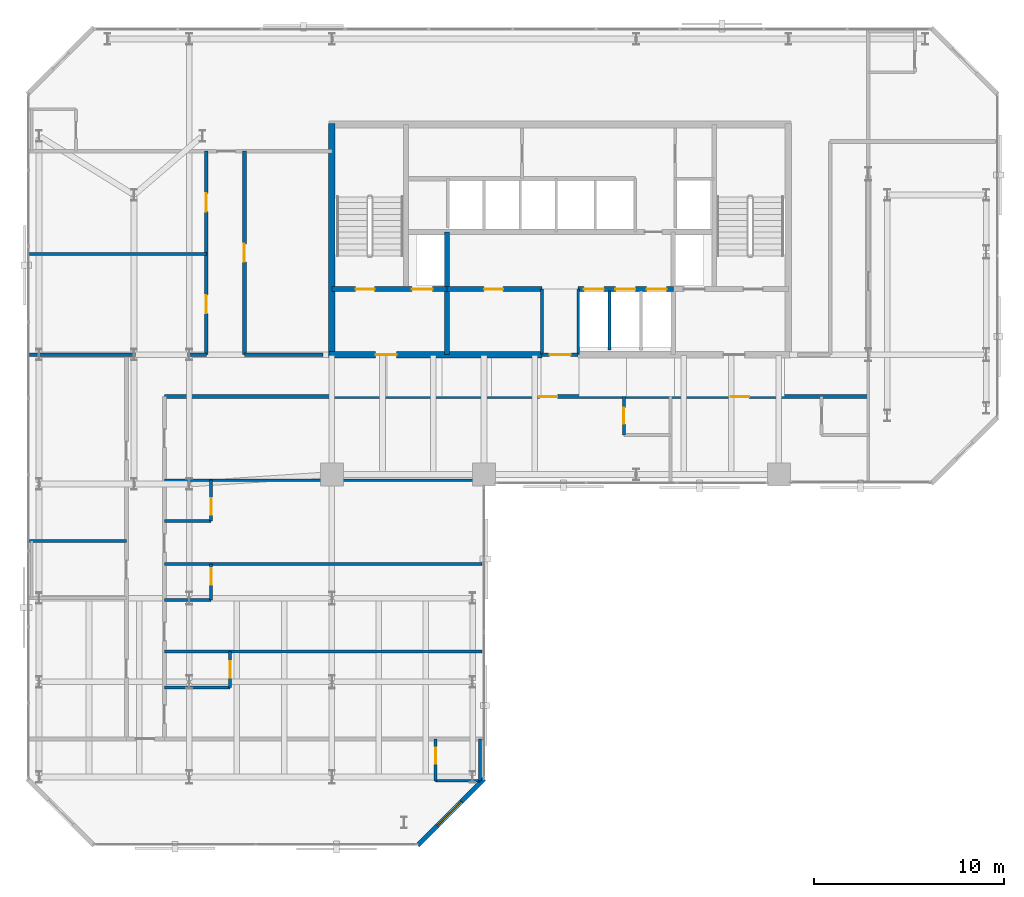
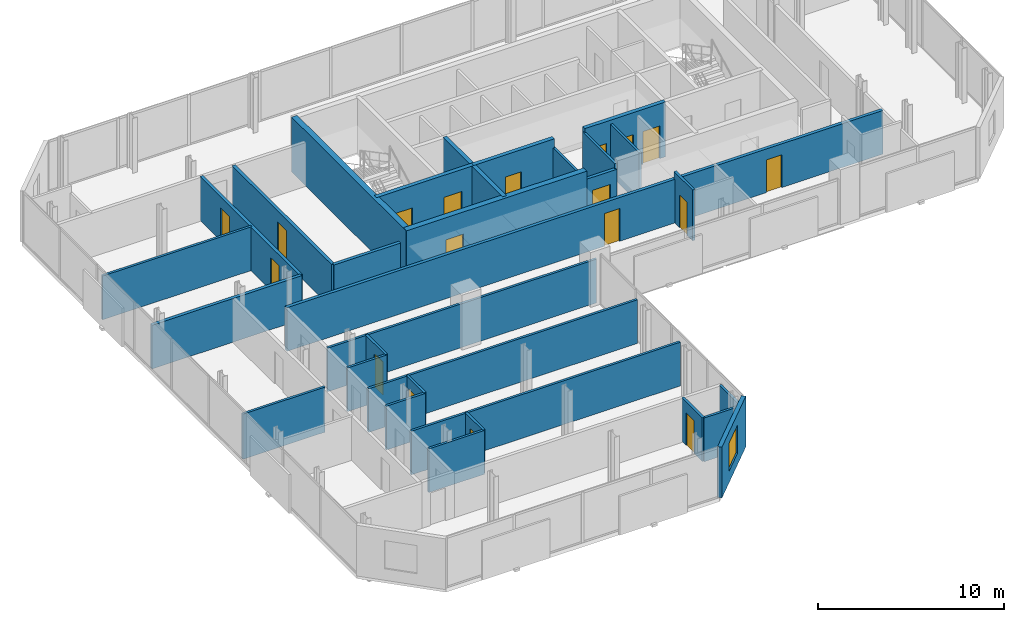
# One storey, part 28 of 32: 31 walls, 18 doors, 1 window, 19 openings.
"""IFC4 building model written with IfcOpenShell, lengths in metres."""

import ifcopenshell
import ifcopenshell.guid

model = None  # the IFC model being written
_history = None  # IfcOwnerHistory: only IFC2X3 demands one
_inside = {}  # id of a spatial element -> (the spatial element, [elements in it])
_under = {}  # id of a project, library or spatial element -> (it, [spatial elements below it])
_declared = {}  # id of a project -> (the project, [libraries it declares])
_typed = {}  # id of a type object -> (the type object, [elements of that type])
_made_of = {}  # id of a material, layer set ... -> (it, [elements and type objects made of it])


def new_model(schema):
    """Start an empty IFC model of exactly this schema.

    Asked for "IFC4X3", IfcOpenShell would pick the latest addendum, in which some entities
    have other attributes; the version numbers below select the first issue.
    IFC2X3 requires an IfcOwnerHistory on every rooted entity: one is made here for all.
    """
    global model, _history
    if schema == "IFC4X3":
        model = ifcopenshell.file(schema_version=(4, 3, 0, 0))
    else:
        model = ifcopenshell.file(schema=schema)
    _inside.clear()
    _under.clear()
    _declared.clear()
    _typed.clear()
    _made_of.clear()
    _history = None
    if model.schema == "IFC2X3":
        org = make("IfcOrganization", Name="unknown")
        user = make(
            "IfcPersonAndOrganization",
            ThePerson=make("IfcPerson", FamilyName="unknown"),
            TheOrganization=org,
        )
        app = make(
            "IfcApplication",
            ApplicationDeveloper=org,
            Version="unknown",
            ApplicationFullName="unknown",
            ApplicationIdentifier="unknown",
        )
        _history = make(
            "IfcOwnerHistory",
            OwningUser=user,
            OwningApplication=app,
            ChangeAction="ADDED",
            CreationDate=0,
        )
    return model


def make(cls, **values):
    """One entity of the class cls with the attributes given. An attribute that is None is left unset."""
    return model.create_entity(
        cls, **{name: value for name, value in values.items() if value is not None}
    )


def rooted(cls, **values):
    """An entity with a GlobalId (a new one), such as an element, a storey or a relation."""
    return make(cls, GlobalId=ifcopenshell.guid.new(), OwnerHistory=_history, **values)


def si_unit(unit_type, name, prefix=None):
    """IfcSIUnit, for example si_unit("LENGTHUNIT", "METRE", prefix="MILLI")."""
    return make("IfcSIUnit", UnitType=unit_type, Prefix=prefix, Name=name)


def assignment(units):
    """IfcUnitAssignment: the units of a project."""
    return None if units is None else make("IfcUnitAssignment", Units=units)


def point(xyz):
    """IfcCartesianPoint."""
    return None if xyz is None else make("IfcCartesianPoint", Coordinates=xyz)


def direction(xyz):
    """IfcDirection."""
    return None if xyz is None else make("IfcDirection", DirectionRatios=xyz)


def frame(location, z_axis=None, x_axis=None):
    """IfcAxis2Placement3D, a coordinate frame: its origin and axes. An axis left out is left unset."""
    return make(
        "IfcAxis2Placement3D",
        Location=point(location),
        Axis=direction(z_axis),
        RefDirection=direction(x_axis),
    )


def frame_2d(location, x_axis=None):
    """IfcAxis2Placement2D, a coordinate frame in the plane: its origin and x axis."""
    return make(
        "IfcAxis2Placement2D", Location=point(location), RefDirection=direction(x_axis)
    )


def origin():
    """The frame at (0, 0, 0) with its axes left unset."""
    return frame((0.0, 0.0, 0.0))


def place(relative_to, where):
    """IfcLocalPlacement: puts the frame where relative to a parent placement (None: the world)."""
    return make(
        "IfcLocalPlacement", PlacementRelTo=relative_to, RelativePlacement=where
    )


def context(
    kind, dimensions, precision=None, world=None, true_north=None, identifier=None
):
    """IfcGeometricRepresentationContext, for example the 3D "Model" context."""
    return make(
        "IfcGeometricRepresentationContext",
        ContextIdentifier=identifier,
        ContextType=kind,
        CoordinateSpaceDimension=dimensions,
        Precision=precision,
        WorldCoordinateSystem=world,
        TrueNorth=true_north,
    )


def subcontext(parent, identifier, kind, view, scale=None):
    """IfcGeometricRepresentationSubContext, for example "Body" below "Model"."""
    return make(
        "IfcGeometricRepresentationSubContext",
        ContextIdentifier=identifier,
        ContextType=kind,
        ParentContext=parent,
        TargetScale=scale,
        TargetView=view,
    )


def project(units=None, contexts=None):
    """IfcProject with its units and contexts."""
    return rooted(
        "IfcProject",
        Name="project",
        RepresentationContexts=contexts,
        UnitsInContext=assignment(units),
    )


def spatial(cls, under=None, at=None, **own):
    """A site, building, storey or space (cls), placed at a placement, below another one or the project."""
    s = rooted(cls, ObjectPlacement=at, **own)
    if under is not None:
        _under.setdefault(under.id(), (under, []))[1].append(s)
    return s


def profile(cls, at=None, kind="AREA", **sizes):
    """A parametric profile (cls). Its sizes go by their IFC names, for example OverallWidth=200.0."""
    return make(cls, ProfileType=kind, Position=at, **sizes)


def rectangle(**sizes):
    """IfcRectangleProfileDef."""
    return profile("IfcRectangleProfileDef", **sizes)


def extrude(swept, where, along, depth):
    """IfcExtrudedAreaSolid: the profile swept, set in the frame where, extruded along a direction by depth."""
    return make(
        "IfcExtrudedAreaSolid",
        SweptArea=swept,
        Position=where,
        ExtrudedDirection=direction(along),
        Depth=depth,
    )


def shape(context_of_items, identifier, shape_type, items):
    """IfcShapeRepresentation: the items that make up one representation, for example the "Body"."""
    return make(
        "IfcShapeRepresentation",
        ContextOfItems=context_of_items,
        RepresentationIdentifier=identifier,
        RepresentationType=shape_type,
        Items=items,
    )


def material(Name=None, Category=None):
    """IfcMaterial."""
    return make("IfcMaterial", Name=Name, Category=Category)


def layer(
    of_material, thickness, ventilated=None, Name=None, Category=None, Priority=None
):
    """IfcMaterialLayer: one layer of a wall or slab, of a material (None: an air gap)."""
    return make(
        "IfcMaterialLayer",
        Material=of_material,
        LayerThickness=thickness,
        IsVentilated=ventilated,
        Name=Name,
        Category=Category,
        Priority=Priority,
    )


def layer_set(layers, Name=None):
    """IfcMaterialLayerSet."""
    return make("IfcMaterialLayerSet", MaterialLayers=layers, LayerSetName=Name)


def made_of(thing, what):
    """Note that an element or type object is made of a material, layer set ...; save() writes the relation."""
    if what is not None:
        _made_of.setdefault(what.id(), (what, []))[1].append(thing)
    return thing


def type_object(cls, material=None, **own):
    """A type object (cls), such as IfcWallType, which elements share."""
    return made_of(rooted(cls, **own), material)


def element(
    cls,
    number,
    at=None,
    inside=None,
    cuts=None,
    type_object=None,
    material=None,
    context=None,
    identifier="Body",
    shape_type=None,
    held_by="IfcProductDefinitionShape",
    body=None,
    shapes=None,
    **own,
):
    """One element of the class cls, such as IfcWall. Its Tag is "e" and its number.

    at: its placement. inside: the storey or other place that contains it. cuts: it is an
    opening in that element (IfcRelVoidsElement). A single representation is given by context,
    identifier, shape_type and body (its items); several are given by shapes. held_by: the class
    of the entity that holds the representations. save() writes the other relations.
    """
    e = rooted(cls, Tag="e%d" % number, ObjectPlacement=at, **own)
    if body is not None:
        shapes = [shape(context, identifier, shape_type, body)]
    if shapes is not None:
        e.Representation = make(held_by, Representations=shapes)
    if inside is not None:
        _inside.setdefault(inside.id(), (inside, []))[1].append(e)
    if cuts is not None:
        rooted(
            "IfcRelVoidsElement", RelatingBuildingElement=cuts, RelatedOpeningElement=e
        )
    if type_object is not None:
        _typed.setdefault(type_object.id(), (type_object, []))[1].append(e)
    return made_of(e, material)


def fill(opening, filler):
    """IfcRelFillsElement: the door or window that sits in an opening."""
    return rooted(
        "IfcRelFillsElement",
        RelatingOpeningElement=opening,
        RelatedBuildingElement=filler,
    )


def aggregate(whole, parts):
    """IfcRelAggregates: a whole, such as a stair, and the parts it consists of."""
    return rooted("IfcRelAggregates", RelatingObject=whole, RelatedObjects=parts)


def save(model, path):
    """Write the relations noted so far, then the file.

    IfcRelAggregates (storeys below a building ...), IfcRelContainedInSpatialStructure (elements
    in a storey), IfcRelDefinesByType, IfcRelAssociatesMaterial and IfcRelDeclares: one each for
    every whole, place, type object, material and project.
    """
    for whole, parts in _under.values():
        aggregate(whole, parts)
    for where, things in _inside.values():
        rooted(
            "IfcRelContainedInSpatialStructure",
            RelatedElements=things,
            RelatingStructure=where,
        )
    for kind, things in _typed.values():
        rooted("IfcRelDefinesByType", RelatedObjects=things, RelatingType=kind)
    for what, things in _made_of.values():
        rooted("IfcRelAssociatesMaterial", RelatedObjects=things, RelatingMaterial=what)
    for by, libraries in _declared.values():
        rooted("IfcRelDeclares", RelatingContext=by, RelatedDefinitions=libraries)
    model.write(path)


model = new_model("IFC4")

# Units and contexts
model_context = context("Model", 3, precision=1e-05, world=origin(), true_north=direction((0.0, 1.0)))
body_context = subcontext(model_context, "Body", "Model", "MODEL_VIEW")
ifc_project = project(units=[si_unit("LENGTHUNIT", "METRE"), si_unit("AREAUNIT", "SQUARE_METRE"), si_unit("VOLUMEUNIT", "CUBIC_METRE"), si_unit("PLANEANGLEUNIT", "RADIAN"), si_unit("MASSUNIT", "GRAM", prefix="KILO")], contexts=[model_context])

# Site, building, storey
site_placement = place(None, origin())
site = spatial("IfcSite", under=ifc_project, at=site_placement, CompositionType="ELEMENT")
building_placement = place(site_placement, origin())
building = spatial("IfcBuilding", under=site, at=building_placement, Name="Catumbela Crestline Tower", CompositionType="ELEMENT")
storey_placement = place(building_placement, frame((0.0, 0.0, 129.6)))
storey = spatial("IfcBuildingStorey", under=building, at=storey_placement, Name="L33", CompositionType="ELEMENT", Elevation=129.6)

# Wall
ifc_material_1 = material(Name="Concrete C50/60", Category="concrete")
ifc_layer_1 = layer(ifc_material_1, 0.25, Name="Concrete C50/60")
ifc_layer_set_1 = layer_set([ifc_layer_1], Name="Concrete C50/60")
wall_type_1 = type_object("IfcWallType", Name="CW-250D", PredefinedType="SHEAR", material=ifc_layer_set_1)
wall_1_placement = place(storey_placement, frame((22.05, 30.8, 0.0), z_axis=(0.0, 0.0, 1.0), x_axis=(0.0, 1.0, 0.0)))
element("IfcWall", 1, at=wall_1_placement, inside=storey, type_object=wall_type_1, Name="L33 Structural Core Shear Wall FFW", PredefinedType="SHEAR", context=body_context, shape_type="SweptSolid", body=[
    extrude(rectangle(XDim=6.45, YDim=0.25, at=frame_2d((3.225, 0.0))), origin(), (0.0, 0.0, 1.0), 3.6),
])

# Wall, openings, doors
wall_2_placement = place(storey_placement, frame((16.0, 34.25, 0.0), z_axis=(0.0, 0.0, 1.0), x_axis=(1.0, 0.0, 0.0)))
wall_2 = element("IfcWall", 2, at=wall_2_placement, inside=storey, type_object=wall_type_1, Name="L33 Structural Core Shear Wall ST1S", PredefinedType="SHEAR", context=body_context, shape_type="SweptSolid", body=[
    extrude(rectangle(XDim=6.05, YDim=0.25, at=frame_2d((3.025, 0.0))), origin(), (0.0, 0.0, 1.0), 3.6),
])
opening_1_placement = place(wall_2_placement, frame((1.25, 0.0, 0.0)))
opening_1 = element("IfcOpeningElement", 3, at=opening_1_placement, cuts=wall_2, Name="Opening DF9-100", PredefinedType="OPENING", context=body_context, shape_type="SweptSolid", body=[
    extrude(rectangle(XDim=1.0, YDim=2.15, at=frame_2d((0.5, 1.075))), frame((0.0, 0.135, 0.0), z_axis=(0.0, -1.0, 0.0), x_axis=(1.0, 0.0, 0.0)), (0.0, 0.0, 1.0), 0.27),
])
opening_2_placement = place(wall_2_placement, frame((4.2, 0.0, 0.0)))
opening_2 = element("IfcOpeningElement", 4, at=opening_2_placement, cuts=wall_2, Name="Opening LD-110", PredefinedType="OPENING", context=body_context, shape_type="SweptSolid", body=[
    extrude(rectangle(XDim=1.1, YDim=2.15, at=frame_2d((0.55, 1.075))), frame((0.0, 0.135, 0.0), z_axis=(0.0, -1.0, 0.0), x_axis=(1.0, 0.0, 0.0)), (0.0, 0.0, 1.0), 0.27),
])
ifc_material_2 = material(Name="Stainless steel EN 1.4401", Category="steel")
door_type_1 = type_object("IfcDoorType", Name="DF9-100", OperationType="NOTDEFINED", PredefinedType="DOOR", material=ifc_material_2)
door_1_placement = place(opening_1_placement, origin())
door_1 = element("IfcDoor", 5, at=door_1_placement, inside=storey, type_object=door_type_1, Name="L33 Interior Door DR-L33-ST01", OperationType="SINGLE_SWING_LEFT", OverallHeight=2.15, OverallWidth=1.0, PredefinedType="DOOR", context=body_context, shape_type="SweptSolid", body=[
    extrude(rectangle(XDim=1.0, YDim=2.15, at=frame_2d((0.5, 1.075))), frame((0.0, 0.025, 0.0), z_axis=(0.0, -1.0, 0.0), x_axis=(1.0, 0.0, 0.0)), (0.0, 0.0, 1.0), 0.05),
])
fill(opening_1, door_1)
door_type_2 = type_object("IfcDoorType", Name="LD-110", OperationType="NOTDEFINED", PredefinedType="DOOR", material=ifc_material_2)
door_2_placement = place(opening_2_placement, origin())
door_2 = element("IfcDoor", 6, at=door_2_placement, inside=storey, type_object=door_type_2, Name="L33 Lift Landing Sliding Door FL-01", OperationType="DOUBLE_DOOR_SLIDING", OverallHeight=2.15, OverallWidth=1.1, PredefinedType="DOOR", context=body_context, shape_type="SweptSolid", body=[
    extrude(rectangle(XDim=1.1, YDim=2.15, at=frame_2d((0.55, 1.075))), frame((0.0, 0.025, 0.0), z_axis=(0.0, -1.0, 0.0), x_axis=(1.0, 0.0, 0.0)), (0.0, 0.0, 1.0), 0.05),
])
fill(opening_2, door_2)

# Wall, opening, door
wall_3_placement = place(storey_placement, frame((22.05, 34.25, 0.0), z_axis=(0.0, 0.0, 1.0), x_axis=(1.0, 0.0, 0.0)))
wall_3 = element("IfcWall", 7, at=wall_3_placement, inside=storey, type_object=wall_type_1, Name="L33 Structural Core Shear Wall LIFTS-W", PredefinedType="SHEAR", context=body_context, shape_type="SweptSolid", body=[
    extrude(rectangle(XDim=5.0, YDim=0.25, at=frame_2d((2.5, 0.0))), origin(), (0.0, 0.0, 1.0), 3.6),
])
opening_3_placement = place(wall_3_placement, frame((1.95, 0.0, 0.0)))
opening_3 = element("IfcOpeningElement", 8, at=opening_3_placement, cuts=wall_3, Name="Opening DF9-100", PredefinedType="OPENING", context=body_context, shape_type="SweptSolid", body=[
    extrude(rectangle(XDim=1.0, YDim=2.15, at=frame_2d((0.5, 1.075))), frame((0.0, 0.135, 0.0), z_axis=(0.0, -1.0, 0.0), x_axis=(1.0, 0.0, 0.0)), (0.0, 0.0, 1.0), 0.27),
])
door_3_placement = place(opening_3_placement, origin())
door_3 = element("IfcDoor", 9, at=door_3_placement, inside=storey, type_object=door_type_1, Name="L33 Interior Door DR-L33-RECL1", OperationType="SINGLE_SWING_LEFT", OverallHeight=2.15, OverallWidth=1.0, PredefinedType="DOOR", context=body_context, shape_type="SweptSolid", body=[
    extrude(rectangle(XDim=1.0, YDim=2.15, at=frame_2d((0.5, 1.075))), frame((0.0, 0.025, 0.0), z_axis=(0.0, -1.0, 0.0), x_axis=(1.0, 0.0, 0.0)), (0.0, 0.0, 1.0), 0.05),
])
fill(opening_3, door_3)

# Wall, openings, doors
wall_4_placement = place(storey_placement, frame((28.95, 34.25, 0.0), z_axis=(0.0, 0.0, 1.0), x_axis=(1.0, 0.0, 0.0)))
wall_4 = element("IfcWall", 10, at=wall_4_placement, inside=storey, type_object=wall_type_1, Name="L33 Structural Core Shear Wall LIFTS-E", PredefinedType="SHEAR", context=body_context, shape_type="SweptSolid", body=[
    extrude(rectangle(XDim=5.0, YDim=0.25, at=frame_2d((2.5, 0.0))), origin(), (0.0, 0.0, 1.0), 3.6),
])
opening_4_placement = place(wall_4_placement, frame((0.3, 0.0, 0.0)))
opening_4 = element("IfcOpeningElement", 11, at=opening_4_placement, cuts=wall_4, Name="Opening LD-105", PredefinedType="OPENING", context=body_context, shape_type="SweptSolid", body=[
    extrude(rectangle(XDim=1.05, YDim=2.15, at=frame_2d((0.525, 1.075))), frame((0.0, 0.135, 0.0), z_axis=(0.0, -1.0, 0.0), x_axis=(1.0, 0.0, 0.0)), (0.0, 0.0, 1.0), 0.27),
])
opening_5_placement = place(wall_4_placement, frame((1.95, 0.0, 0.0)))
opening_5 = element("IfcOpeningElement", 12, at=opening_5_placement, cuts=wall_4, Name="Opening LD-105", PredefinedType="OPENING", context=body_context, shape_type="SweptSolid", body=[
    extrude(rectangle(XDim=1.05, YDim=2.15, at=frame_2d((0.525, 1.075))), frame((0.0, 0.135, 0.0), z_axis=(0.0, -1.0, 0.0), x_axis=(1.0, 0.0, 0.0)), (0.0, 0.0, 1.0), 0.27),
])
opening_6_placement = place(wall_4_placement, frame((3.6, 0.0, 0.0)))
opening_6 = element("IfcOpeningElement", 13, at=opening_6_placement, cuts=wall_4, Name="Opening LD-105", PredefinedType="OPENING", context=body_context, shape_type="SweptSolid", body=[
    extrude(rectangle(XDim=1.05, YDim=2.15, at=frame_2d((0.525, 1.075))), frame((0.0, 0.135, 0.0), z_axis=(0.0, -1.0, 0.0), x_axis=(1.0, 0.0, 0.0)), (0.0, 0.0, 1.0), 0.27),
])
door_type_3 = type_object("IfcDoorType", Name="LD-105", OperationType="NOTDEFINED", PredefinedType="DOOR", material=ifc_material_2)
door_4_placement = place(opening_4_placement, origin())
door_4 = element("IfcDoor", 14, at=door_4_placement, inside=storey, type_object=door_type_3, Name="L33 Lift Landing Sliding Door PL-M1", OperationType="DOUBLE_DOOR_SLIDING", OverallHeight=2.15, OverallWidth=1.05, PredefinedType="DOOR", context=body_context, shape_type="SweptSolid", body=[
    extrude(rectangle(XDim=1.05, YDim=2.15, at=frame_2d((0.525, 1.075))), frame((0.0, 0.025, 0.0), z_axis=(0.0, -1.0, 0.0), x_axis=(1.0, 0.0, 0.0)), (0.0, 0.0, 1.0), 0.05),
])
fill(opening_4, door_4)
door_5_placement = place(opening_5_placement, origin())
door_5 = element("IfcDoor", 15, at=door_5_placement, inside=storey, type_object=door_type_3, Name="L33 Lift Landing Sliding Door PL-M2", OperationType="DOUBLE_DOOR_SLIDING", OverallHeight=2.15, OverallWidth=1.05, PredefinedType="DOOR", context=body_context, shape_type="SweptSolid", body=[
    extrude(rectangle(XDim=1.05, YDim=2.15, at=frame_2d((0.525, 1.075))), frame((0.0, 0.025, 0.0), z_axis=(0.0, -1.0, 0.0), x_axis=(1.0, 0.0, 0.0)), (0.0, 0.0, 1.0), 0.05),
])
fill(opening_5, door_5)
door_6_placement = place(opening_6_placement, origin())
door_6 = element("IfcDoor", 16, at=door_6_placement, inside=storey, type_object=door_type_3, Name="L33 Lift Landing Sliding Door PL-M3", OperationType="DOUBLE_DOOR_SLIDING", OverallHeight=2.15, OverallWidth=1.05, PredefinedType="DOOR", context=body_context, shape_type="SweptSolid", body=[
    extrude(rectangle(XDim=1.05, YDim=2.15, at=frame_2d((0.525, 1.075))), frame((0.0, 0.025, 0.0), z_axis=(0.0, -1.0, 0.0), x_axis=(1.0, 0.0, 0.0)), (0.0, 0.0, 1.0), 0.05),
])
fill(opening_6, door_6)

# Wall
ifc_layer_2 = layer(ifc_material_1, 0.35, Name="Concrete C50/60")
ifc_layer_set_2 = layer_set([ifc_layer_2], Name="Concrete C50/60")
wall_type_2 = type_object("IfcWallType", Name="CW-350B", PredefinedType="SHEAR", material=ifc_layer_set_2)
wall_5_placement = place(storey_placement, frame((16.0, 30.65, 0.0), z_axis=(0.0, 0.0, 1.0), x_axis=(0.0, 1.0, 0.0)))
element("IfcWall", 17, at=wall_5_placement, inside=storey, type_object=wall_type_2, Name="L33 Structural Core Shear Wall W", PredefinedType="SHEAR", context=body_context, shape_type="SweptSolid", body=[
    extrude(rectangle(XDim=12.3, YDim=0.35, at=frame_2d((6.15, 0.0))), origin(), (0.0, 0.0, 1.0), 3.6),
])

# Wall, opening, door
wall_6_placement = place(storey_placement, frame((15.85, 30.8, 0.0), z_axis=(0.0, 0.0, 1.0), x_axis=(1.0, 0.0, 0.0)))
wall_6 = element("IfcWall", 18, at=wall_6_placement, inside=storey, type_object=wall_type_2, Name="L33 Structural Core Shear Wall SW", PredefinedType="SHEAR", context=body_context, shape_type="SweptSolid", body=[
    extrude(rectangle(XDim=11.2, YDim=0.35, at=frame_2d((5.6, 0.0))), origin(), (0.0, 0.0, 1.0), 3.6),
])
opening_7_placement = place(wall_6_placement, frame((2.45, 0.0, 0.0)))
opening_7 = element("IfcOpeningElement", 19, at=opening_7_placement, cuts=wall_6, Name="Opening DF9-110", PredefinedType="OPENING", context=body_context, shape_type="SweptSolid", body=[
    extrude(rectangle(XDim=1.1, YDim=2.15, at=frame_2d((0.55, 1.075))), frame((0.0, 0.185, 0.0), z_axis=(0.0, -1.0, 0.0), x_axis=(1.0, 0.0, 0.0)), (0.0, 0.0, 1.0), 0.37),
])
door_type_4 = type_object("IfcDoorType", Name="DF9-110", OperationType="NOTDEFINED", PredefinedType="DOOR", material=ifc_material_2)
door_7_placement = place(opening_7_placement, origin())
door_7 = element("IfcDoor", 20, at=door_7_placement, inside=storey, type_object=door_type_4, Name="L33 Interior Door DR-L33-FFW-S", OperationType="SINGLE_SWING_LEFT", OverallHeight=2.15, OverallWidth=1.1, PredefinedType="DOOR", context=body_context, shape_type="SweptSolid", body=[
    extrude(rectangle(XDim=1.1, YDim=2.15, at=frame_2d((0.55, 1.075))), frame((0.0, 0.025, 0.0), z_axis=(0.0, -1.0, 0.0), x_axis=(1.0, 0.0, 0.0)), (0.0, 0.0, 1.0), 0.05),
])
fill(opening_7, door_7)

ifc_material_3 = material(Name="Acoustic gypsum and mineral-wool partition")
ifc_layer_3 = layer(ifc_material_3, 0.2, Name="Acoustic gypsum and mineral-wool partition")
ifc_layer_set_3 = layer_set([ifc_layer_3], Name="Acoustic gypsum and mineral-wool partition")
wall_type_3 = type_object("IfcWallType", Name="WC-200", PredefinedType="PARTITIONING", material=ifc_layer_set_3)
wall_7_placement = place(storey_placement, frame((27.05, 30.8, 0.0), z_axis=(0.0, 0.0, 1.0), x_axis=(1.0, 0.0, 0.0)))
wall_7 = element("IfcWall", 21, at=wall_7_placement, inside=storey, type_object=wall_type_3, Name="L33 Interior Partition PW-L33-CLOBS", PredefinedType="PARTITIONING", context=body_context, shape_type="SweptSolid", body=[
    extrude(rectangle(XDim=1.9, YDim=0.2, at=frame_2d((0.95, 0.0))), origin(), (0.0, 0.0, 1.0), 3.01),
])
opening_8_placement = place(wall_7_placement, frame((0.4, 0.0, 0.0)))
opening_8 = element("IfcOpeningElement", 22, at=opening_8_placement, cuts=wall_7, Name="Opening DF9-110", PredefinedType="OPENING", context=body_context, shape_type="SweptSolid", body=[
    extrude(rectangle(XDim=1.1, YDim=2.15, at=frame_2d((0.55, 1.075))), frame((0.0, 0.11, 0.0), z_axis=(0.0, -1.0, 0.0), x_axis=(1.0, 0.0, 0.0)), (0.0, 0.0, 1.0), 0.22),
])
door_8_placement = place(opening_8_placement, origin())
door_8 = element("IfcDoor", 23, at=door_8_placement, inside=storey, type_object=door_type_4, Name="L33 Interior Door DR-L33-CLOBS", OperationType="SINGLE_SWING_LEFT", OverallHeight=2.15, OverallWidth=1.1, PredefinedType="DOOR", context=body_context, shape_type="SweptSolid", body=[
    extrude(rectangle(XDim=1.1, YDim=2.15, at=frame_2d((0.55, 1.075))), frame((0.0, 0.025, 0.0), z_axis=(0.0, -1.0, 0.0), x_axis=(1.0, 0.0, 0.0)), (0.0, 0.0, 1.0), 0.05),
])
fill(opening_8, door_8)

# Wall
wall_8_placement = place(storey_placement, frame((0.1, 30.8, 0.0), z_axis=(0.0, 0.0, 1.0), x_axis=(1.0, 0.0, 0.0)))
element("IfcWall", 24, at=wall_8_placement, inside=storey, type_object=wall_type_3, Name="L33 Interior Partition PW-L33-Z2CW-N0", PredefinedType="PARTITIONING", context=body_context, shape_type="SweptSolid", body=[
    extrude(rectangle(XDim=9.3, YDim=0.2, at=frame_2d((4.65, 0.0))), origin(), (0.0, 0.0, 1.0), 2.87),
])

# Wall, openings, doors
wall_9_placement = place(storey_placement, frame((7.2, 28.6, 0.0), z_axis=(0.0, 0.0, 1.0), x_axis=(1.0, 0.0, 0.0)))
wall_9 = element("IfcWall", 25, at=wall_9_placement, inside=storey, type_object=wall_type_3, Name="L33 Interior Partition PW-L33-Z2CW-N2", PredefinedType="PARTITIONING", context=body_context, shape_type="SweptSolid", body=[
    extrude(rectangle(XDim=37.0, YDim=0.2, at=frame_2d((18.5, 0.0))), origin(), (0.0, 0.0, 1.0), 2.87),
])
opening_9_placement = place(wall_9_placement, frame((19.71, 0.0, 0.0)))
opening_9 = element("IfcOpeningElement", 26, at=opening_9_placement, cuts=wall_9, Name="Opening DF6-095", PredefinedType="OPENING", context=body_context, shape_type="SweptSolid", body=[
    extrude(rectangle(XDim=0.95, YDim=2.15, at=frame_2d((0.475, 1.075))), frame((0.0, 0.11, 0.0), z_axis=(0.0, -1.0, 0.0), x_axis=(1.0, 0.0, 0.0)), (0.0, 0.0, 1.0), 0.22),
])
opening_10_placement = place(wall_9_placement, frame((29.78, 0.0, 0.0)))
opening_10 = element("IfcOpeningElement", 27, at=opening_10_placement, cuts=wall_9, Name="Opening DF6-095", PredefinedType="OPENING", context=body_context, shape_type="SweptSolid", body=[
    extrude(rectangle(XDim=0.95, YDim=2.15, at=frame_2d((0.475, 1.075))), frame((0.0, 0.11, 0.0), z_axis=(0.0, -1.0, 0.0), x_axis=(1.0, 0.0, 0.0)), (0.0, 0.0, 1.0), 0.22),
])
ifc_material_4 = material(Name="Aluminium alloy AW-6060-T66", Category="aluminium")
door_type_5 = type_object("IfcDoorType", Name="DF6-095", OperationType="NOTDEFINED", PredefinedType="DOOR", material=ifc_material_4)
door_9_placement = place(opening_9_placement, origin())
door_9 = element("IfcDoor", 28, at=door_9_placement, inside=storey, type_object=door_type_5, Name="L33 Interior Door DR-L33-SS1-ENT", OperationType="SINGLE_SWING_RIGHT", OverallHeight=2.15, OverallWidth=0.95, PredefinedType="DOOR", context=body_context, shape_type="SweptSolid", body=[
    extrude(rectangle(XDim=0.95, YDim=2.15, at=frame_2d((0.475, 1.075))), frame((0.0, 0.025, 0.0), z_axis=(0.0, -1.0, 0.0), x_axis=(1.0, 0.0, 0.0)), (0.0, 0.0, 1.0), 0.05),
])
fill(opening_9, door_9)
door_10_placement = place(opening_10_placement, origin())
door_10 = element("IfcDoor", 29, at=door_10_placement, inside=storey, type_object=door_type_5, Name="L33 Interior Door DR-L33-SS2-ENT", OperationType="SINGLE_SWING_LEFT", OverallHeight=2.15, OverallWidth=0.95, PredefinedType="DOOR", context=body_context, shape_type="SweptSolid", body=[
    extrude(rectangle(XDim=0.95, YDim=2.15, at=frame_2d((0.475, 1.075))), frame((0.0, 0.025, 0.0), z_axis=(0.0, -1.0, 0.0), x_axis=(1.0, 0.0, 0.0)), (0.0, 0.0, 1.0), 0.05),
])
fill(opening_10, door_10)

# Wall
wall_10_placement = place(storey_placement, frame((11.4, 30.8, 0.0), z_axis=(0.0, 0.0, 1.0), x_axis=(1.0, 0.0, 0.0)))
element("IfcWall", 30, at=wall_10_placement, inside=storey, type_object=wall_type_3, Name="L33 Interior Partition PW-L33-Z2CW-N3", PredefinedType="PARTITIONING", context=body_context, shape_type="SweptSolid", body=[
    extrude(rectangle(XDim=4.13, YDim=0.2, at=frame_2d((2.065, 0.0))), origin(), (0.0, 0.0, 1.0), 2.87),
])

# Wall, openings, doors
wall_11_placement = place(storey_placement, frame((9.4, 30.8, 0.0), z_axis=(0.0, 0.0, 1.0), x_axis=(0.0, 1.0, 0.0)))
wall_11 = element("IfcWall", 31, at=wall_11_placement, inside=storey, type_object=wall_type_3, Name="L33 Interior Partition PW-L33-Z2TR1-ENT", PredefinedType="PARTITIONING", context=body_context, shape_type="SweptSolid", body=[
    extrude(rectangle(XDim=10.7, YDim=0.2, at=frame_2d((5.35, 0.0))), origin(), (0.0, 0.0, 1.0), 2.87),
])
opening_11_placement = place(wall_11_placement, frame((2.175, 0.0, 0.0)))
opening_11 = element("IfcOpeningElement", 32, at=opening_11_placement, cuts=wall_11, Name="Opening DF6-095", PredefinedType="OPENING", context=body_context, shape_type="SweptSolid", body=[
    extrude(rectangle(XDim=0.95, YDim=2.15, at=frame_2d((0.475, 1.075))), frame((0.0, 0.11, 0.0), z_axis=(0.0, -1.0, 0.0), x_axis=(1.0, 0.0, 0.0)), (0.0, 0.0, 1.0), 0.22),
])
opening_12_placement = place(wall_11_placement, frame((7.525, 0.0, 0.0)))
opening_12 = element("IfcOpeningElement", 33, at=opening_12_placement, cuts=wall_11, Name="Opening DF6-095", PredefinedType="OPENING", context=body_context, shape_type="SweptSolid", body=[
    extrude(rectangle(XDim=0.95, YDim=2.15, at=frame_2d((0.475, 1.075))), frame((0.0, 0.11, 0.0), z_axis=(0.0, -1.0, 0.0), x_axis=(1.0, 0.0, 0.0)), (0.0, 0.0, 1.0), 0.22),
])
door_11_placement = place(opening_11_placement, origin())
door_11 = element("IfcDoor", 34, at=door_11_placement, inside=storey, type_object=door_type_5, Name="L33 Interior Door DR-L33-Z2TR1-ENT", OperationType="SINGLE_SWING_RIGHT", OverallHeight=2.15, OverallWidth=0.95, PredefinedType="DOOR", context=body_context, shape_type="SweptSolid", body=[
    extrude(rectangle(XDim=0.95, YDim=2.15, at=frame_2d((0.475, 1.075))), frame((0.0, 0.025, 0.0), z_axis=(0.0, -1.0, 0.0), x_axis=(1.0, 0.0, 0.0)), (0.0, 0.0, 1.0), 0.05),
])
fill(opening_11, door_11)
door_12_placement = place(opening_12_placement, origin())
door_12 = element("IfcDoor", 35, at=door_12_placement, inside=storey, type_object=door_type_5, Name="L33 Interior Door DR-L33-Z2TR2-ENT", OperationType="SINGLE_SWING_LEFT", OverallHeight=2.15, OverallWidth=0.95, PredefinedType="DOOR", context=body_context, shape_type="SweptSolid", body=[
    extrude(rectangle(XDim=0.95, YDim=2.15, at=frame_2d((0.475, 1.075))), frame((0.0, 0.025, 0.0), z_axis=(0.0, -1.0, 0.0), x_axis=(1.0, 0.0, 0.0)), (0.0, 0.0, 1.0), 0.05),
])
fill(opening_12, door_12)

# Wall, opening, door
wall_12_placement = place(storey_placement, frame((11.4, 30.8, 0.0), z_axis=(0.0, 0.0, 1.0), x_axis=(0.0, 1.0, 0.0)))
wall_12 = element("IfcWall", 36, at=wall_12_placement, inside=storey, type_object=wall_type_3, Name="L33 Interior Partition PW-L33-Z2YOG-ENT", PredefinedType="PARTITIONING", context=body_context, shape_type="SweptSolid", body=[
    extrude(rectangle(XDim=10.7, YDim=0.2, at=frame_2d((5.35, 0.0))), origin(), (0.0, 0.0, 1.0), 2.87),
])
opening_13_placement = place(wall_12_placement, frame((4.875, 0.0, 0.0)))
opening_13 = element("IfcOpeningElement", 37, at=opening_13_placement, cuts=wall_12, Name="Opening DF6-095", PredefinedType="OPENING", context=body_context, shape_type="SweptSolid", body=[
    extrude(rectangle(XDim=0.95, YDim=2.15, at=frame_2d((0.475, 1.075))), frame((0.0, 0.11, 0.0), z_axis=(0.0, -1.0, 0.0), x_axis=(1.0, 0.0, 0.0)), (0.0, 0.0, 1.0), 0.22),
])
door_13_placement = place(opening_13_placement, origin())
door_13 = element("IfcDoor", 38, at=door_13_placement, inside=storey, type_object=door_type_5, Name="L33 Interior Door DR-L33-Z2YOG-ENT", OperationType="SINGLE_SWING_RIGHT", OverallHeight=2.15, OverallWidth=0.95, PredefinedType="DOOR", context=body_context, shape_type="SweptSolid", body=[
    extrude(rectangle(XDim=0.95, YDim=2.15, at=frame_2d((0.475, 1.075))), frame((0.0, 0.025, 0.0), z_axis=(0.0, -1.0, 0.0), x_axis=(1.0, 0.0, 0.0)), (0.0, 0.0, 1.0), 0.05),
])
fill(opening_13, door_13)

# Wall, opening, window
ifc_material_5 = material(Name="Angolan grey-ochre granite", Category="masonry")
ifc_layer_4 = layer(ifc_material_5, 0.25, Name="Angolan grey-ochre granite")
ifc_layer_set_4 = layer_set([ifc_layer_4], Name="Angolan grey-ochre granite")
wall_type_4 = type_object("IfcWallType", Name="WE-250", PredefinedType="STANDARD", material=ifc_layer_set_4)
wall_13_placement = place(storey_placement, frame((20.5, 5.0, 0.0), z_axis=(0.0, 0.0, 1.0), x_axis=(0.707106781187, 0.707106781187, 0.0)))
wall_13 = element("IfcWall", 39, at=wall_13_placement, inside=storey, type_object=wall_type_4, Name="L33 Granite Punched Window Wall 1-1", PredefinedType="STANDARD", context=body_context, shape_type="SweptSolid", body=[
    extrude(rectangle(XDim=4.9497, YDim=0.25, at=frame_2d((2.4748, 0.0))), origin(), (0.0, 0.0, 1.0), 3.33),
])
opening_14_placement = place(wall_13_placement, frame((1.4647, 0.0, 0.75)))
opening_14 = element("IfcOpeningElement", 40, at=opening_14_placement, cuts=wall_13, Name="Opening WN-01", PredefinedType="OPENING", context=body_context, shape_type="SweptSolid", body=[
    extrude(rectangle(XDim=1.8, YDim=1.85, at=frame_2d((0.9, 0.925))), frame((0.0, 0.135, 0.0), z_axis=(0.0, -1.0, 0.0), x_axis=(1.0, 0.0, 0.0)), (0.0, 0.0, 1.0), 0.27),
])
ifc_material_6 = material(Name="Low-E laminated solar-control double glazing", Category="glass")
window_type = type_object("IfcWindowType", Name="WF-1800", PartitioningType="SINGLE_PANEL", PredefinedType="WINDOW", material=ifc_material_6)
window_placement = place(opening_14_placement, origin())
window = element("IfcWindow", 41, at=window_placement, inside=storey, type_object=window_type, Name="L33 Facade Vision Window 185", OverallHeight=1.85, OverallWidth=1.8, PartitioningType="SINGLE_PANEL", PredefinedType="WINDOW", context=body_context, shape_type="SweptSolid", body=[
    extrude(rectangle(XDim=1.8, YDim=1.85, at=frame_2d((0.9, 0.925))), frame((0.0, 0.03, 0.0), z_axis=(0.0, -1.0, 0.0), x_axis=(1.0, 0.0, 0.0)), (0.0, 0.0, 1.0), 0.06),
])
fill(opening_14, window)

# Walls
ifc_layer_5 = layer(ifc_material_3, 0.15, Name="Acoustic gypsum and mineral-wool partition")
ifc_layer_set_5 = layer_set([ifc_layer_5], Name="Acoustic gypsum and mineral-wool partition")
wall_type_5 = type_object("IfcWallType", Name="WP-150", PredefinedType="PARTITIONING", material=ifc_layer_set_5)
wall_14_placement = place(storey_placement, frame((0.1, 21.0, 0.0), z_axis=(0.0, 0.0, 1.0), x_axis=(1.0, 0.0, 0.0)))
element("IfcWall", 42, at=wall_14_placement, inside=storey, type_object=wall_type_5, Name="L33 Interior Partition PW-L33-Z2W-2", PredefinedType="PARTITIONING", context=body_context, shape_type="SweptSolid", body=[
    extrude(rectangle(XDim=5.1, YDim=0.15, at=frame_2d((2.55, 0.0))), origin(), (0.0, 0.0, 1.0), 2.96),
])
wall_15_placement = place(storey_placement, frame((0.1, 36.1, 0.0), z_axis=(0.0, 0.0, 1.0), x_axis=(1.0, 0.0, 0.0)))
element("IfcWall", 43, at=wall_15_placement, inside=storey, type_object=wall_type_5, Name="L33 Interior Partition PW-L33-Z2G3-1", PredefinedType="PARTITIONING", context=body_context, shape_type="SweptSolid", body=[
    extrude(rectangle(XDim=9.3, YDim=0.15, at=frame_2d((4.65, 0.0))), origin(), (0.0, 0.0, 1.0), 2.87),
])
wall_16_placement = place(storey_placement, frame((21.45, 8.4, 0.0), z_axis=(0.0, 0.0, 1.0), x_axis=(1.0, 0.0, 0.0)))
element("IfcWall", 44, at=wall_16_placement, inside=storey, type_object=wall_type_5, Name="L33 Interior Partition PW-L33-STIP-BHW", PredefinedType="PARTITIONING", context=body_context, shape_type="SweptSolid", body=[
    extrude(rectangle(XDim=2.35, YDim=0.15, at=frame_2d((1.175, 0.0))), origin(), (0.0, 0.0, 1.0), 2.87),
])

# Wall, opening, door
wall_17_placement = place(storey_placement, frame((21.45, 8.4, 0.0), z_axis=(0.0, 0.0, 1.0), x_axis=(0.0, 1.0, 0.0)))
wall_17 = element("IfcWall", 45, at=wall_17_placement, inside=storey, type_object=wall_type_5, Name="L33 Interior Partition PW-L33-STIP-BWW", PredefinedType="PARTITIONING", context=body_context, shape_type="SweptSolid", body=[
    extrude(rectangle(XDim=2.2, YDim=0.15, at=frame_2d((1.1, 0.0))), origin(), (0.0, 0.0, 1.0), 2.87),
])
opening_15_placement = place(wall_17_placement, frame((0.8925, 0.0, 0.0)))
opening_15 = element("IfcOpeningElement", 46, at=opening_15_placement, cuts=wall_17, Name="Opening DI-085", PredefinedType="OPENING", context=body_context, shape_type="SweptSolid", body=[
    extrude(rectangle(XDim=0.85, YDim=2.15, at=frame_2d((0.425, 1.075))), frame((0.0, 0.085, 0.0), z_axis=(0.0, -1.0, 0.0), x_axis=(1.0, 0.0, 0.0)), (0.0, 0.0, 1.0), 0.17),
])
door_type_6 = type_object("IfcDoorType", Name="DI-085", OperationType="NOTDEFINED", PredefinedType="DOOR", material=ifc_material_4)
door_14_placement = place(opening_15_placement, origin())
door_14 = element("IfcDoor", 47, at=door_14_placement, inside=storey, type_object=door_type_6, Name="L33 Interior Door DR-L33-STIP-BTH", OperationType="SINGLE_SWING_RIGHT", OverallHeight=2.15, OverallWidth=0.85, PredefinedType="DOOR", context=body_context, shape_type="SweptSolid", body=[
    extrude(rectangle(XDim=0.85, YDim=2.15, at=frame_2d((0.425, 1.075))), frame((0.0, 0.025, 0.0), z_axis=(0.0, -1.0, 0.0), x_axis=(1.0, 0.0, 0.0)), (0.0, 0.0, 1.0), 0.05),
])
fill(opening_15, door_14)

# Walls
wall_18_placement = place(storey_placement, frame((23.78, 10.6, 0.0), z_axis=(0.0, 0.0, 1.0), x_axis=(0.0, -1.0, 0.0)))
element("IfcWall", 48, at=wall_18_placement, inside=storey, type_object=wall_type_5, Name="L33 Interior Partition PW-L33-STIP-BCL-2", PredefinedType="PARTITIONING", context=body_context, shape_type="SweptSolid", body=[
    extrude(rectangle(XDim=2.22, YDim=0.15, at=frame_2d((1.11, 0.0))), origin(), (0.0, 0.0, 1.0), 2.87),
])
wall_19_placement = place(storey_placement, frame((7.2, 13.3, 0.0), z_axis=(0.0, 0.0, 1.0), x_axis=(1.0, 0.0, 0.0)))
element("IfcWall", 49, at=wall_19_placement, inside=storey, type_object=wall_type_5, Name="L33 Interior Partition PW-L33-SW1-BSW", PredefinedType="PARTITIONING", context=body_context, shape_type="SweptSolid", body=[
    extrude(rectangle(XDim=3.45, YDim=0.15, at=frame_2d((1.725, 0.0))), origin(), (0.0, 0.0, 1.0), 2.87),
])

# Wall, opening, door
wall_20_placement = place(storey_placement, frame((10.65, 13.3, 0.0), z_axis=(0.0, 0.0, 1.0), x_axis=(0.0, 1.0, 0.0)))
wall_20 = element("IfcWall", 50, at=wall_20_placement, inside=storey, type_object=wall_type_5, Name="L33 Interior Partition PW-L33-SW1-BEW", PredefinedType="PARTITIONING", context=body_context, shape_type="SweptSolid", body=[
    extrude(rectangle(XDim=1.9, YDim=0.15, at=frame_2d((0.95, 0.0))), origin(), (0.0, 0.0, 1.0), 2.87),
])
opening_16_placement = place(wall_20_placement, frame((0.525, 0.0, 0.0)))
opening_16 = element("IfcOpeningElement", 51, at=opening_16_placement, cuts=wall_20, Name="Opening DI-085", PredefinedType="OPENING", context=body_context, shape_type="SweptSolid", body=[
    extrude(rectangle(XDim=0.85, YDim=2.15, at=frame_2d((0.425, 1.075))), frame((0.0, 0.085, 0.0), z_axis=(0.0, -1.0, 0.0), x_axis=(1.0, 0.0, 0.0)), (0.0, 0.0, 1.0), 0.17),
])
door_15_placement = place(opening_16_placement, origin())
door_15 = element("IfcDoor", 52, at=door_15_placement, inside=storey, type_object=door_type_6, Name="L33 Interior Door DR-L33-SW1-BTH", OperationType="SINGLE_SWING_LEFT", OverallHeight=2.15, OverallWidth=0.85, PredefinedType="DOOR", context=body_context, shape_type="SweptSolid", body=[
    extrude(rectangle(XDim=0.85, YDim=2.15, at=frame_2d((0.425, 1.075))), frame((0.0, 0.025, 0.0), z_axis=(0.0, -1.0, 0.0), x_axis=(1.0, 0.0, 0.0)), (0.0, 0.0, 1.0), 0.05),
])
fill(opening_16, door_15)

# Walls
wall_21_placement = place(storey_placement, frame((7.2, 15.2, 0.0), z_axis=(0.0, 0.0, 1.0), x_axis=(1.0, 0.0, 0.0)))
element("IfcWall", 53, at=wall_21_placement, inside=storey, type_object=wall_type_5, Name="L33 Interior Partition PW-L33-SW1-BCL-1", PredefinedType="PARTITIONING", context=body_context, shape_type="SweptSolid", body=[
    extrude(rectangle(XDim=16.7, YDim=0.15, at=frame_2d((8.35, 0.0))), origin(), (0.0, 0.0, 1.0), 2.87),
])
wall_22_placement = place(storey_placement, frame((7.2, 17.9, 0.0), z_axis=(0.0, 0.0, 1.0), x_axis=(1.0, 0.0, 0.0)))
element("IfcWall", 54, at=wall_22_placement, inside=storey, type_object=wall_type_5, Name="L33 Interior Partition PW-L33-SW2-BSW", PredefinedType="PARTITIONING", context=body_context, shape_type="SweptSolid", body=[
    extrude(rectangle(XDim=2.45, YDim=0.15, at=frame_2d((1.225, 0.0))), origin(), (0.0, 0.0, 1.0), 2.87),
])

# Wall, opening, door
wall_23_placement = place(storey_placement, frame((9.65, 17.9, 0.0), z_axis=(0.0, 0.0, 1.0), x_axis=(0.0, 1.0, 0.0)))
wall_23 = element("IfcWall", 55, at=wall_23_placement, inside=storey, type_object=wall_type_5, Name="L33 Interior Partition PW-L33-SW2-BEW", PredefinedType="PARTITIONING", context=body_context, shape_type="SweptSolid", body=[
    extrude(rectangle(XDim=1.9, YDim=0.15, at=frame_2d((0.95, 0.0))), origin(), (0.0, 0.0, 1.0), 2.87),
])
opening_17_placement = place(wall_23_placement, frame((0.81, 0.0, 0.0)))
opening_17 = element("IfcOpeningElement", 56, at=opening_17_placement, cuts=wall_23, Name="Opening DI-085", PredefinedType="OPENING", context=body_context, shape_type="SweptSolid", body=[
    extrude(rectangle(XDim=0.85, YDim=2.15, at=frame_2d((0.425, 1.075))), frame((0.0, 0.085, 0.0), z_axis=(0.0, -1.0, 0.0), x_axis=(1.0, 0.0, 0.0)), (0.0, 0.0, 1.0), 0.17),
])
door_16_placement = place(opening_17_placement, origin())
door_16 = element("IfcDoor", 57, at=door_16_placement, inside=storey, type_object=door_type_6, Name="L33 Interior Door DR-L33-SW2-BTH", OperationType="SINGLE_SWING_RIGHT", OverallHeight=2.15, OverallWidth=0.85, PredefinedType="DOOR", context=body_context, shape_type="SweptSolid", body=[
    extrude(rectangle(XDim=0.85, YDim=2.15, at=frame_2d((0.425, 1.075))), frame((0.0, 0.025, 0.0), z_axis=(0.0, -1.0, 0.0), x_axis=(1.0, 0.0, 0.0)), (0.0, 0.0, 1.0), 0.05),
])
fill(opening_17, door_16)

# Walls
wall_24_placement = place(storey_placement, frame((7.2, 19.8, 0.0), z_axis=(0.0, 0.0, 1.0), x_axis=(1.0, 0.0, 0.0)))
element("IfcWall", 58, at=wall_24_placement, inside=storey, type_object=wall_type_5, Name="L33 Interior Partition PW-L33-SW2-BCL-1", PredefinedType="PARTITIONING", context=body_context, shape_type="SweptSolid", body=[
    extrude(rectangle(XDim=16.7, YDim=0.15, at=frame_2d((8.35, 0.0))), origin(), (0.0, 0.0, 1.0), 2.87),
])
wall_25_placement = place(storey_placement, frame((7.2, 22.05, 0.0), z_axis=(0.0, 0.0, 1.0), x_axis=(1.0, 0.0, 0.0)))
element("IfcWall", 59, at=wall_25_placement, inside=storey, type_object=wall_type_5, Name="L33 Interior Partition PW-L33-SW3-BSW", PredefinedType="PARTITIONING", context=body_context, shape_type="SweptSolid", body=[
    extrude(rectangle(XDim=2.45, YDim=0.15, at=frame_2d((1.225, 0.0))), origin(), (0.0, 0.0, 1.0), 2.87),
])

# Wall, opening, door
wall_26_placement = place(storey_placement, frame((9.65, 22.05, 0.0), z_axis=(0.0, 0.0, 1.0), x_axis=(0.0, 1.0, 0.0)))
wall_26 = element("IfcWall", 60, at=wall_26_placement, inside=storey, type_object=wall_type_5, Name="L33 Interior Partition PW-L33-SW3-BEW", PredefinedType="PARTITIONING", context=body_context, shape_type="SweptSolid", body=[
    extrude(rectangle(XDim=2.15, YDim=0.15, at=frame_2d((1.075, 0.0))), origin(), (0.0, 0.0, 1.0), 2.87),
])
opening_18_placement = place(wall_26_placement, frame((0.3425, 0.0, 0.0)))
opening_18 = element("IfcOpeningElement", 61, at=opening_18_placement, cuts=wall_26, Name="Opening DI-085", PredefinedType="OPENING", context=body_context, shape_type="SweptSolid", body=[
    extrude(rectangle(XDim=0.85, YDim=2.15, at=frame_2d((0.425, 1.075))), frame((0.0, 0.085, 0.0), z_axis=(0.0, -1.0, 0.0), x_axis=(1.0, 0.0, 0.0)), (0.0, 0.0, 1.0), 0.17),
])
door_17_placement = place(opening_18_placement, origin())
door_17 = element("IfcDoor", 62, at=door_17_placement, inside=storey, type_object=door_type_6, Name="L33 Interior Door DR-L33-SW3-BTH", OperationType="SINGLE_SWING_LEFT", OverallHeight=2.15, OverallWidth=0.85, PredefinedType="DOOR", context=body_context, shape_type="SweptSolid", body=[
    extrude(rectangle(XDim=0.85, YDim=2.15, at=frame_2d((0.425, 1.075))), frame((0.0, 0.025, 0.0), z_axis=(0.0, -1.0, 0.0), x_axis=(1.0, 0.0, 0.0)), (0.0, 0.0, 1.0), 0.05),
])
fill(opening_18, door_17)

# Wall
wall_27_placement = place(storey_placement, frame((7.2, 24.2, 0.0), z_axis=(0.0, 0.0, 1.0), x_axis=(1.0, 0.0, 0.0)))
element("IfcWall", 63, at=wall_27_placement, inside=storey, type_object=wall_type_5, Name="L33 Interior Partition PW-L33-SW3-BCL-1", PredefinedType="PARTITIONING", context=body_context, shape_type="SweptSolid", body=[
    extrude(rectangle(XDim=16.7, YDim=0.15, at=frame_2d((8.35, 0.0))), origin(), (0.0, 0.0, 1.0), 2.87),
])

# Wall, opening, door
wall_28_placement = place(storey_placement, frame((31.35, 26.576, 0.0), z_axis=(0.0, 0.0, 1.0), x_axis=(0.0, 1.0, 0.0)))
wall_28 = element("IfcWall", 64, at=wall_28_placement, inside=storey, type_object=wall_type_5, Name="L33 Interior Partition PW-L33-SS1-BWW", PredefinedType="PARTITIONING", context=body_context, shape_type="SweptSolid", body=[
    extrude(rectangle(XDim=2.024, YDim=0.15, at=frame_2d((1.012, 0.0))), origin(), (0.0, 0.0, 1.0), 3.33),
])
opening_19_placement = place(wall_28_placement, frame((0.587, 0.0, 0.0)))
opening_19 = element("IfcOpeningElement", 65, at=opening_19_placement, cuts=wall_28, Name="Opening DI-085", PredefinedType="OPENING", context=body_context, shape_type="SweptSolid", body=[
    extrude(rectangle(XDim=0.85, YDim=2.15, at=frame_2d((0.425, 1.075))), frame((0.0, 0.085, 0.0), z_axis=(0.0, -1.0, 0.0), x_axis=(1.0, 0.0, 0.0)), (0.0, 0.0, 1.0), 0.17),
])
door_18_placement = place(opening_19_placement, origin())
door_18 = element("IfcDoor", 66, at=door_18_placement, inside=storey, type_object=door_type_6, Name="L33 Interior Door DR-L33-SS1-BTH", OperationType="SINGLE_SWING_RIGHT", OverallHeight=2.15, OverallWidth=0.85, PredefinedType="DOOR", context=body_context, shape_type="SweptSolid", body=[
    extrude(rectangle(XDim=0.85, YDim=2.15, at=frame_2d((0.425, 1.075))), frame((0.0, 0.025, 0.0), z_axis=(0.0, -1.0, 0.0), x_axis=(1.0, 0.0, 0.0)), (0.0, 0.0, 1.0), 0.05),
])
fill(opening_19, door_18)

# Walls
ifc_layer_6 = layer(ifc_material_3, 0.15, Name="Acoustic gypsum and mineral-wool partition")
ifc_layer_set_6 = layer_set([ifc_layer_6], Name="Acoustic gypsum and mineral-wool partition")
wall_type_6 = type_object("IfcWallType", Name="WS-150", PredefinedType="PLUMBINGWALL", material=ifc_layer_set_6)
wall_29_placement = place(storey_placement, frame((27.05, 30.8, 0.0), z_axis=(0.0, 0.0, 1.0), x_axis=(0.0, 1.0, 0.0)))
element("IfcWall", 67, at=wall_29_placement, inside=storey, type_object=wall_type_6, Name="L33 Interior Partition PW-L33-THRW", PredefinedType="PLUMBINGWALL", context=body_context, shape_type="SweptSolid", body=[
    extrude(rectangle(XDim=3.45, YDim=0.15, at=frame_2d((1.725, 0.0))), origin(), (0.0, 0.0, 1.0), 3.01),
])
wall_30_placement = place(storey_placement, frame((28.95, 30.8, 0.0), z_axis=(0.0, 0.0, 1.0), x_axis=(0.0, 1.0, 0.0)))
element("IfcWall", 68, at=wall_30_placement, inside=storey, type_object=wall_type_6, Name="L33 Interior Partition PW-L33-THRE", PredefinedType="PLUMBINGWALL", context=body_context, shape_type="SweptSolid", body=[
    extrude(rectangle(XDim=3.45, YDim=0.15, at=frame_2d((1.725, 0.0))), origin(), (0.0, 0.0, 1.0), 3.33),
])
wall_31_placement = place(storey_placement, frame((30.6, 31.05, 0.0), z_axis=(0.0, 0.0, 1.0), x_axis=(0.0, 1.0, 0.0)))
element("IfcWall", 69, at=wall_31_placement, inside=storey, type_object=wall_type_6, Name="L33 Interior Partition PW-L33-SHM1", PredefinedType="PLUMBINGWALL", context=body_context, shape_type="SweptSolid", body=[
    extrude(rectangle(XDim=3.1, YDim=0.15, at=frame_2d((1.55, 0.0))), origin(), (0.0, 0.0, 1.0), 3.33),
])

save(model, "model.ifc")
